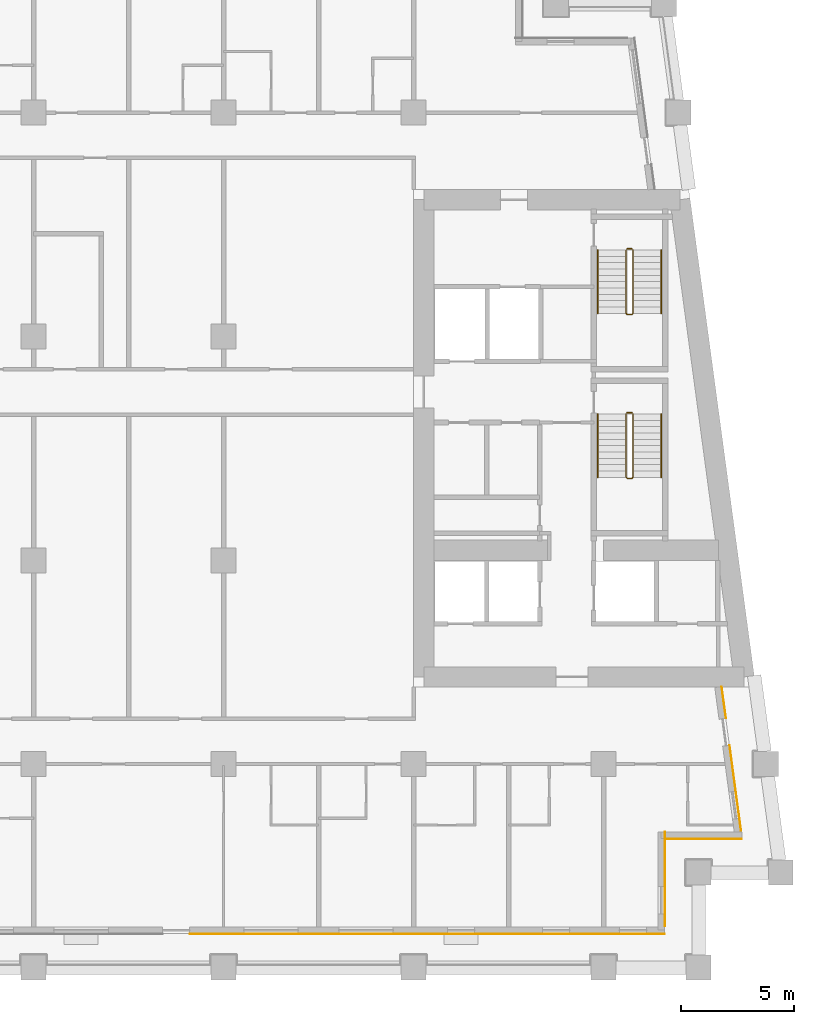
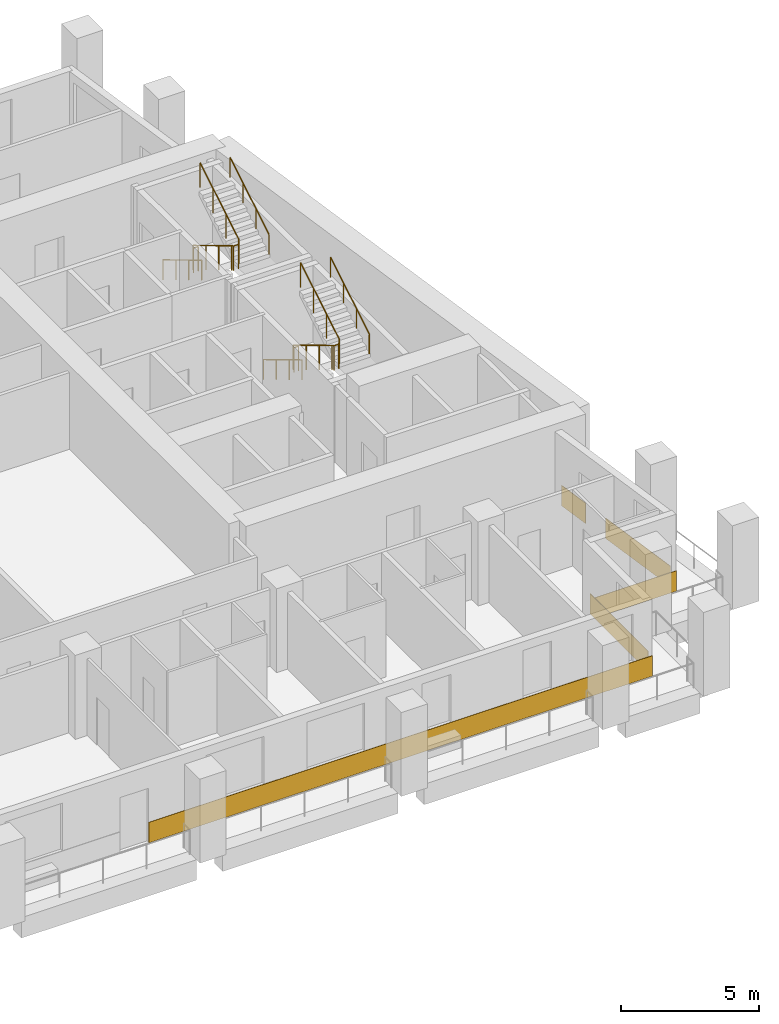
# One storey, part 11 of 13: 8 railings, 5 coverings.
"""IFC4 building model written with IfcOpenShell, lengths in metres."""

from ifc_helpers import new_model, si_unit, direction, frame, origin, origin_2d, place, context, subcontext, project, spatial, rectangle, circle, extrude, material, layer, layer_set, type_object, element, save


model = new_model("IFC4")

# Units and contexts
model_context = context("Model", 3, precision=1e-05, world=origin(), true_north=direction((0.0, 1.0)))
body_context = subcontext(model_context, "Body", "Model", "MODEL_VIEW")
ifc_project = project(units=[si_unit("LENGTHUNIT", "METRE"), si_unit("AREAUNIT", "SQUARE_METRE"), si_unit("VOLUMEUNIT", "CUBIC_METRE"), si_unit("PLANEANGLEUNIT", "RADIAN"), si_unit("MASSUNIT", "GRAM", prefix="KILO")], contexts=[model_context])

# Site, building, storey
site_placement = place(None, origin())
site = spatial("IfcSite", under=ifc_project, at=site_placement, CompositionType="ELEMENT")
building_placement = place(site_placement, origin())
building = spatial("IfcBuilding", under=site, at=building_placement, Name="Candeia Pilgrim Tower and Theatre", CompositionType="ELEMENT")
storey_placement = place(building_placement, frame((0.0, 0.0, 177.39990234375)))
storey = spatial("IfcBuildingStorey", under=building, at=storey_placement, Name="L42", CompositionType="ELEMENT", Elevation=177.39990234375)

# Coverings
ifc_material_1 = material(Name="Glazed ceramic tile rust")
ifc_layer = layer(ifc_material_1, 0.02001953125)
ifc_layer_set = layer_set([ifc_layer], Name="Glazed ceramic tile rust")
covering_type = type_object("IfcCoveringType", Name="Glazed ceramic tile rust", PredefinedType="CLADDING", material=ifc_layer_set)
covering_1_placement = place(storey_placement, frame((126.60009765625, 99.489990234375, 0.000244140625), z_axis=(0.0, 0.0, 1.0), x_axis=(1.0, 0.0, 0.0)))
element("IfcCovering", 1, at=covering_1_placement, inside=storey, type_object=covering_type, Name="Tile cladding rust L42", PredefinedType="CLADDING", context=body_context, shape_type="SweptSolid", body=[
    extrude(rectangle(XDim=21.0, YDim=0.02001953125, at=origin_2d()), origin(), (0.0, 0.0, 1.0), 0.89990234375),
])
covering_2_placement = place(storey_placement, frame((137.110107421875, 101.909912109375, 0.000244140625), z_axis=(0.0, 0.0, 1.0), x_axis=(0.0, 1.0, 0.0)))
element("IfcCovering", 2, at=covering_2_placement, inside=storey, type_object=covering_type, Name="Tile cladding rust L42", PredefinedType="CLADDING", context=body_context, shape_type="SweptSolid", body=[
    extrude(rectangle(XDim=4.179931640625, YDim=0.02001953125, at=origin_2d()), origin(), (0.0, 0.0, 1.0), 0.89990234375),
])
covering_3_placement = place(storey_placement, frame((138.819580078125, 103.68994140625, 0.000244140625), z_axis=(0.0, 0.0, 1.0), x_axis=(1.0, 0.0, 0.0)))
element("IfcCovering", 3, at=covering_3_placement, inside=storey, type_object=covering_type, Name="Tile cladding rust L42", PredefinedType="CLADDING", context=body_context, shape_type="SweptSolid", body=[
    extrude(rectangle(XDim=3.399169921875, YDim=0.02001953125, at=origin_2d()), origin(), (0.0, 0.0, 1.0), 0.89990234375),
])
covering_4_placement = place(storey_placement, frame((140.228515625, 105.933349609375, 0.000244140625), z_axis=(0.0, 0.0, 1.0), x_axis=(-0.133412012145, 0.991060661622, 0.0)))
element("IfcCovering", 4, at=covering_4_placement, inside=storey, type_object=covering_type, Name="Tile cladding rust L42", PredefinedType="CLADDING", context=body_context, shape_type="SweptSolid", body=[
    extrude(rectangle(XDim=3.821044921875, YDim=0.02001953125, at=origin_2d()), origin(), (0.0, 0.0, 1.0), 0.89990234375),
])
covering_5_placement = place(storey_placement, frame((139.718994140625, 109.71875, 0.000244140625), z_axis=(0.0, 0.0, 1.0), x_axis=(-0.133412012145, 0.991060661622, 0.0)))
element("IfcCovering", 5, at=covering_5_placement, inside=storey, type_object=covering_type, Name="Tile cladding rust L42", PredefinedType="CLADDING", context=body_context, shape_type="SweptSolid", body=[
    extrude(rectangle(XDim=1.41796875, YDim=0.02001953125, at=origin_2d()), origin(), (0.0, 0.0, 1.0), 0.89990234375),
])

# Railings
ifc_material_2 = material(Name="Stainless steel balustrade", Category="steel")
railing_type_1 = type_object("IfcRailingType", Name="RL-GUARD-1100", PredefinedType="GUARDRAIL", material=ifc_material_2)
railing_1_placement = place(storey_placement, frame((135.39794921875, 122.47509765625, 0.168212890625)))
element("IfcRailing", 6, at=railing_1_placement, inside=storey, type_object=railing_type_1, Name="L42 ST3 stair guard 1", PredefinedType="GUARDRAIL", context=body_context, shape_type="SweptSolid", body=[
    extrude(circle(Radius=0.02392578125, at=origin_2d()), frame((0.0, 0.0, 1.076171875), z_axis=(0.0, -0.857242210791, 0.514913383045), x_axis=(1.0, 0.0, 0.0)), (0.0, 0.0, 1.0), 3.266357421875),
    extrude(circle(Radius=0.02392578125, at=origin_2d()), frame((0.0, -2.800048828125, 2.7578125), z_axis=(0.707106781187, -0.707106781187, 0.0), x_axis=(0.707106781187, 0.707106781187, 0.0)), (0.0, 0.0, 1.0), 0.07080078125),
    extrude(circle(Radius=0.02392578125, at=origin_2d()), frame((0.050048828125, -2.85009765625, 2.7578125), z_axis=(1.0, 0.0, 0.0), x_axis=(0.0, 1.0, 0.0)), (0.0, 0.0, 1.0), 0.199951171875),
    extrude(circle(Radius=0.02392578125, at=origin_2d()), frame((0.25, -2.85009765625, 2.7578125), z_axis=(0.274243871929, 0.274243871929, 0.92172696468), x_axis=(-0.707106781187, 0.707106781187, 0.0)), (0.0, 0.0, 1.0), 0.1826171875),
    extrude(circle(Radius=0.02392578125, at=origin_2d()), frame((0.300048828125, -2.800048828125, 2.92626953125), z_axis=(0.0, 0.857242210791, 0.514913383045), x_axis=(-1.0, 0.0, 0.0)), (0.0, 0.0, 1.0), 3.266357421875),
    extrude(circle(Radius=0.02099609375, at=origin_2d()), origin(), (0.0, 0.0, 1.0), 1.052001953125),
    extrude(circle(Radius=0.02099609375, at=origin_2d()), frame((0.0, -0.933349609375, 0.560546875)), (0.0, 0.0, 1.0), 1.052001953125),
    extrude(circle(Radius=0.02099609375, at=origin_2d()), frame((0.0, -1.86669921875, 1.121337890625)), (0.0, 0.0, 1.0), 1.052001953125),
    extrude(circle(Radius=0.02099609375, at=origin_2d()), frame((0.0, -2.800048828125, 1.681884765625)), (0.0, 0.0, 1.0), 1.052001953125),
    extrude(circle(Radius=0.02099609375, at=origin_2d()), frame((0.050048828125, -2.85009765625, 1.681884765625)), (0.0, 0.0, 1.0), 1.052001953125),
    extrude(circle(Radius=0.02099609375, at=origin_2d()), frame((0.25, -2.85009765625, 1.681884765625)), (0.0, 0.0, 1.0), 1.052001953125),
    extrude(circle(Radius=0.02099609375, at=origin_2d()), frame((0.300048828125, -2.800048828125, 1.85009765625)), (0.0, 0.0, 1.0), 1.052001953125),
    extrude(circle(Radius=0.02099609375, at=origin_2d()), frame((0.300048828125, -1.86669921875, 2.41064453125)), (0.0, 0.0, 1.0), 1.052001953125),
    extrude(circle(Radius=0.02099609375, at=origin_2d()), frame((0.300048828125, -0.933349609375, 2.971435546875)), (0.0, 0.0, 1.0), 1.052001953125),
    extrude(circle(Radius=0.02099609375, at=origin_2d()), frame((0.300048828125, 0.0, 3.531982421875)), (0.0, 0.0, 1.0), 1.052001953125),
])
railing_2_placement = place(storey_placement, frame((135.447998046875, 122.52490234375, 0.0)))
element("IfcRailing", 7, at=railing_2_placement, inside=storey, type_object=railing_type_1, Name="L42 ST3 stair guard 2", PredefinedType="GUARDRAIL", context=body_context, shape_type="SweptSolid", body=[
    extrude(circle(Radius=0.02392578125, at=origin_2d()), frame((0.0, 0.0, 1.076171875), z_axis=(1.0, 0.0, 0.0), x_axis=(0.0, 1.0, 0.0)), (0.0, 0.0, 1.0), 0.199951171875),
    extrude(circle(Radius=0.02099609375, at=origin_2d()), origin(), (0.0, 0.0, 1.0), 1.052001953125),
    extrude(circle(Radius=0.02099609375, at=origin_2d()), frame((0.199951171875, 0.0, 0.0)), (0.0, 0.0, 1.0), 1.052001953125),
])
railing_3_placement = place(storey_placement, frame((135.39794921875, 129.72509765625, 0.168212890625)))
element("IfcRailing", 8, at=railing_3_placement, inside=storey, type_object=railing_type_1, Name="L42 ST4 stair guard 1", PredefinedType="GUARDRAIL", context=body_context, shape_type="SweptSolid", body=[
    extrude(circle(Radius=0.02392578125, at=origin_2d()), frame((0.0, 0.0, 1.076171875), z_axis=(0.0, -0.857242210791, 0.514913383045), x_axis=(1.0, 0.0, 0.0)), (0.0, 0.0, 1.0), 3.266357421875),
    extrude(circle(Radius=0.02392578125, at=origin_2d()), frame((0.0, -2.800048828125, 2.7578125), z_axis=(0.707106781187, -0.707106781187, 0.0), x_axis=(0.707106781187, 0.707106781187, 0.0)), (0.0, 0.0, 1.0), 0.07080078125),
    extrude(circle(Radius=0.02392578125, at=origin_2d()), frame((0.050048828125, -2.85009765625, 2.7578125), z_axis=(1.0, 0.0, 0.0), x_axis=(0.0, 1.0, 0.0)), (0.0, 0.0, 1.0), 0.199951171875),
    extrude(circle(Radius=0.02392578125, at=origin_2d()), frame((0.25, -2.85009765625, 2.7578125), z_axis=(0.274243871929, 0.274243871929, 0.92172696468), x_axis=(-0.707106781187, 0.707106781187, 0.0)), (0.0, 0.0, 1.0), 0.1826171875),
    extrude(circle(Radius=0.02392578125, at=origin_2d()), frame((0.300048828125, -2.800048828125, 2.92626953125), z_axis=(0.0, 0.857242210791, 0.514913383045), x_axis=(-1.0, 0.0, 0.0)), (0.0, 0.0, 1.0), 3.266357421875),
    extrude(circle(Radius=0.02099609375, at=origin_2d()), origin(), (0.0, 0.0, 1.0), 1.052001953125),
    extrude(circle(Radius=0.02099609375, at=origin_2d()), frame((0.0, -0.933349609375, 0.560546875)), (0.0, 0.0, 1.0), 1.052001953125),
    extrude(circle(Radius=0.02099609375, at=origin_2d()), frame((0.0, -1.86669921875, 1.121337890625)), (0.0, 0.0, 1.0), 1.052001953125),
    extrude(circle(Radius=0.02099609375, at=origin_2d()), frame((0.0, -2.800048828125, 1.681884765625)), (0.0, 0.0, 1.0), 1.052001953125),
    extrude(circle(Radius=0.02099609375, at=origin_2d()), frame((0.050048828125, -2.85009765625, 1.681884765625)), (0.0, 0.0, 1.0), 1.052001953125),
    extrude(circle(Radius=0.02099609375, at=origin_2d()), frame((0.25, -2.85009765625, 1.681884765625)), (0.0, 0.0, 1.0), 1.052001953125),
    extrude(circle(Radius=0.02099609375, at=origin_2d()), frame((0.300048828125, -2.800048828125, 1.85009765625)), (0.0, 0.0, 1.0), 1.052001953125),
    extrude(circle(Radius=0.02099609375, at=origin_2d()), frame((0.300048828125, -1.86669921875, 2.41064453125)), (0.0, 0.0, 1.0), 1.052001953125),
    extrude(circle(Radius=0.02099609375, at=origin_2d()), frame((0.300048828125, -0.933349609375, 2.971435546875)), (0.0, 0.0, 1.0), 1.052001953125),
    extrude(circle(Radius=0.02099609375, at=origin_2d()), frame((0.300048828125, 0.0, 3.531982421875)), (0.0, 0.0, 1.0), 1.052001953125),
])
railing_4_placement = place(storey_placement, frame((135.447998046875, 129.77490234375, 0.0)))
element("IfcRailing", 9, at=railing_4_placement, inside=storey, type_object=railing_type_1, Name="L42 ST4 stair guard 2", PredefinedType="GUARDRAIL", context=body_context, shape_type="SweptSolid", body=[
    extrude(circle(Radius=0.02392578125, at=origin_2d()), frame((0.0, 0.0, 1.076171875), z_axis=(1.0, 0.0, 0.0), x_axis=(0.0, 1.0, 0.0)), (0.0, 0.0, 1.0), 0.199951171875),
    extrude(circle(Radius=0.02099609375, at=origin_2d()), origin(), (0.0, 0.0, 1.0), 1.052001953125),
    extrude(circle(Radius=0.02099609375, at=origin_2d()), frame((0.199951171875, 0.0, 0.0)), (0.0, 0.0, 1.0), 1.052001953125),
])
ifc_material_3 = material(Name="Stainless steel handrail", Category="steel")
railing_type_2 = type_object("IfcRailingType", Name="RL-HANDRAIL-900", PredefinedType="HANDRAIL", material=ifc_material_3)
railing_5_placement = place(storey_placement, frame((134.14794921875, 122.47509765625, 0.168212890625)))
element("IfcRailing", 10, at=railing_5_placement, inside=storey, type_object=railing_type_2, Name="L42 ST3 stair handrail 1", PredefinedType="HANDRAIL", context=body_context, shape_type="SweptSolid", body=[
    extrude(circle(Radius=0.02392578125, at=origin_2d()), frame((0.0, 0.0, 0.8759765625), z_axis=(0.0, -0.857242210791, 0.514913383045), x_axis=(1.0, 0.0, 0.0)), (0.0, 0.0, 1.0), 3.266357421875),
    extrude(circle(Radius=0.02099609375, at=origin_2d()), origin(), (0.0, 0.0, 1.0), 0.851806640625),
    extrude(circle(Radius=0.02099609375, at=origin_2d()), frame((0.0, -0.933349609375, 0.560546875)), (0.0, 0.0, 1.0), 0.851806640625),
    extrude(circle(Radius=0.02099609375, at=origin_2d()), frame((0.0, -1.86669921875, 1.121337890625)), (0.0, 0.0, 1.0), 0.851806640625),
    extrude(circle(Radius=0.02099609375, at=origin_2d()), frame((0.0, -2.800048828125, 1.681884765625)), (0.0, 0.0, 1.0), 0.851806640625),
])
railing_6_placement = place(storey_placement, frame((136.947998046875, 119.675048828125, 2.018310546875)))
element("IfcRailing", 11, at=railing_6_placement, inside=storey, type_object=railing_type_2, Name="L42 ST3 stair handrail 2", PredefinedType="HANDRAIL", context=body_context, shape_type="SweptSolid", body=[
    extrude(circle(Radius=0.02392578125, at=origin_2d()), frame((0.0, 0.0, 0.8759765625), z_axis=(0.0, 0.857242210791, 0.514913383045), x_axis=(-1.0, 0.0, 0.0)), (0.0, 0.0, 1.0), 3.266357421875),
    extrude(circle(Radius=0.02099609375, at=origin_2d()), origin(), (0.0, 0.0, 1.0), 0.851806640625),
    extrude(circle(Radius=0.02099609375, at=origin_2d()), frame((0.0, 0.933349609375, 0.560546875)), (0.0, 0.0, 1.0), 0.851806640625),
    extrude(circle(Radius=0.02099609375, at=origin_2d()), frame((0.0, 1.86669921875, 1.121337890625)), (0.0, 0.0, 1.0), 0.851806640625),
    extrude(circle(Radius=0.02099609375, at=origin_2d()), frame((0.0, 2.800048828125, 1.681884765625)), (0.0, 0.0, 1.0), 0.851806640625),
])
railing_7_placement = place(storey_placement, frame((134.14794921875, 129.72509765625, 0.168212890625)))
element("IfcRailing", 12, at=railing_7_placement, inside=storey, type_object=railing_type_2, Name="L42 ST4 stair handrail 1", PredefinedType="HANDRAIL", context=body_context, shape_type="SweptSolid", body=[
    extrude(circle(Radius=0.02392578125, at=origin_2d()), frame((0.0, 0.0, 0.8759765625), z_axis=(0.0, -0.857242210791, 0.514913383045), x_axis=(1.0, 0.0, 0.0)), (0.0, 0.0, 1.0), 3.266357421875),
    extrude(circle(Radius=0.02099609375, at=origin_2d()), origin(), (0.0, 0.0, 1.0), 0.851806640625),
    extrude(circle(Radius=0.02099609375, at=origin_2d()), frame((0.0, -0.933349609375, 0.560546875)), (0.0, 0.0, 1.0), 0.851806640625),
    extrude(circle(Radius=0.02099609375, at=origin_2d()), frame((0.0, -1.86669921875, 1.121337890625)), (0.0, 0.0, 1.0), 0.851806640625),
    extrude(circle(Radius=0.02099609375, at=origin_2d()), frame((0.0, -2.800048828125, 1.681884765625)), (0.0, 0.0, 1.0), 0.851806640625),
])
railing_8_placement = place(storey_placement, frame((136.947998046875, 126.925048828125, 2.018310546875)))
element("IfcRailing", 13, at=railing_8_placement, inside=storey, type_object=railing_type_2, Name="L42 ST4 stair handrail 2", PredefinedType="HANDRAIL", context=body_context, shape_type="SweptSolid", body=[
    extrude(circle(Radius=0.02392578125, at=origin_2d()), frame((0.0, 0.0, 0.8759765625), z_axis=(0.0, 0.857242210791, 0.514913383045), x_axis=(-1.0, 0.0, 0.0)), (0.0, 0.0, 1.0), 3.266357421875),
    extrude(circle(Radius=0.02099609375, at=origin_2d()), origin(), (0.0, 0.0, 1.0), 0.851806640625),
    extrude(circle(Radius=0.02099609375, at=origin_2d()), frame((0.0, 0.933349609375, 0.560546875)), (0.0, 0.0, 1.0), 0.851806640625),
    extrude(circle(Radius=0.02099609375, at=origin_2d()), frame((0.0, 1.86669921875, 1.121337890625)), (0.0, 0.0, 1.0), 0.851806640625),
    extrude(circle(Radius=0.02099609375, at=origin_2d()), frame((0.0, 2.800048828125, 1.681884765625)), (0.0, 0.0, 1.0), 0.851806640625),
])

save(model, "model.ifc")
